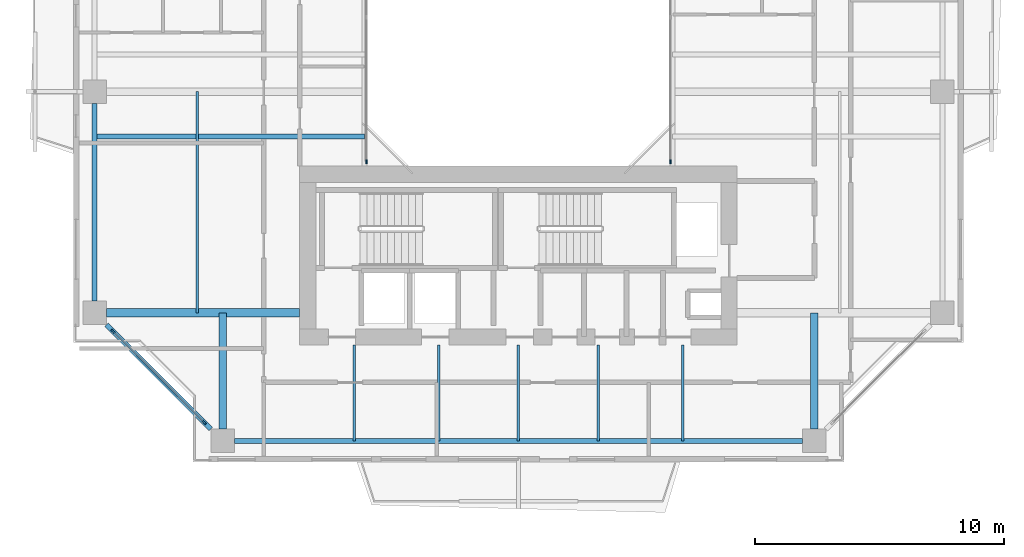
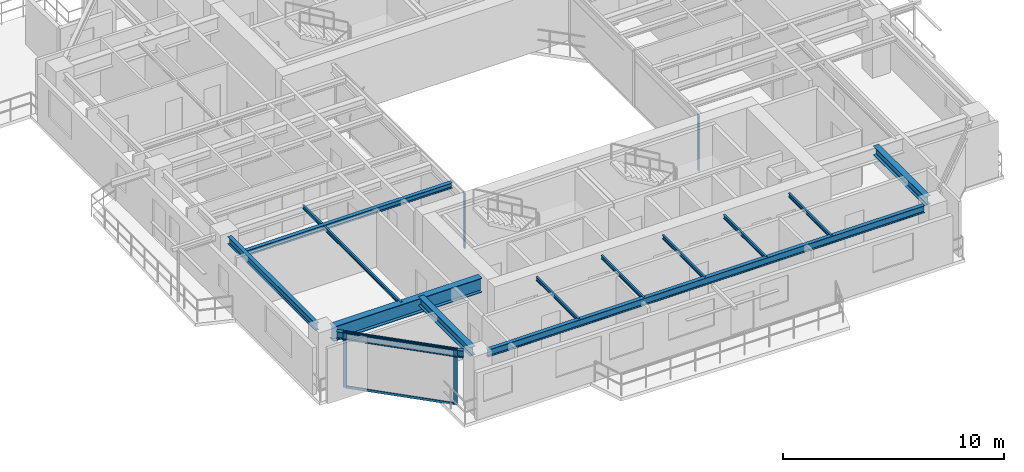
# One storey, part 2 of 17: 13 beams, 6 members, 3 elements without a shape of their own.
"""IFC4 building model written with IfcOpenShell, lengths in metres."""

from ifc_helpers import new_model, si_unit, direction, frame, origin, origin_2d, place, context, subcontext, project, spatial, rectangle, i_section, extrude, source, transform, mapped, material, layer, layer_set, material_profile, profile_set, type_object, element, aggregate, save


model = new_model("IFC4")

# Units and contexts
model_context = context("Model", 3, precision=1e-05, world=origin(), true_north=direction((0.0, 1.0)))
body_context = subcontext(model_context, "Body", "Model", "MODEL_VIEW")
ifc_project = project(units=[si_unit("LENGTHUNIT", "METRE"), si_unit("AREAUNIT", "SQUARE_METRE"), si_unit("VOLUMEUNIT", "CUBIC_METRE"), si_unit("PLANEANGLEUNIT", "RADIAN"), si_unit("MASSUNIT", "GRAM", prefix="KILO"), si_unit("THERMODYNAMICTEMPERATUREUNIT", "KELVIN"), si_unit("POWERUNIT", "WATT")], contexts=[model_context])

# Site, building, storey
site_placement = place(None, origin())
site = spatial("IfcSite", under=ifc_project, at=site_placement, CompositionType="ELEMENT")
building_placement = place(site_placement, origin())
building = spatial("IfcBuilding", under=site, at=building_placement, Name="Qiaomeng Ring Towers", CompositionType="ELEMENT")
storey_placement = place(building_placement, frame((0.0, 0.0, 143.75)))
storey = spatial("IfcBuildingStorey", under=building, at=storey_placement, Name="L41", CompositionType="ELEMENT", Elevation=143.75)

# Beams
ifc_material_1 = material(Name="Steel Q355B", Category="steel")
ifc_material_profile_1 = material_profile(ifc_material_1, i_section(OverallWidth=0.10009765625, OverallDepth=0.199951171875, WebThickness=0.005615234375, FlangeThickness=0.008056640625, FilletRadius=0.010986328125, at=origin_2d()), Name="HN 200x100x5.5x8")
ifc_profile_set_1 = profile_set([ifc_material_profile_1], Name="Steel Q355B")
beam_type_1 = type_object("IfcBeamType", Name="STR-BM-HN200", PredefinedType="JOIST", material=ifc_profile_set_1)
shared_shape_1 = source(origin(), body_context, "Body", "SweptSolid", [
    extrude(i_section(OverallWidth=0.10009765625, OverallDepth=0.199951171875, WebThickness=0.005615234375, FlangeThickness=0.008056640625, FilletRadius=0.010986328125, at=origin_2d()), origin(), (0.0, 0.0, 1.0), 3.85009765625),
])
for number, where, z_axis, x_axis, name in (
    (1, (12.39990234375, 5.949951171875, 2.969970703125), (0.0, 1.0, 0.0), (-1.0, 0.0, 0.0), "L41 beam STR-JST-L41-T1S-1"),
    (2, (15.800048828125, 5.949951171875, 2.969970703125), (0.0, 1.0, 0.0), (-1.0, 0.0, 0.0), "L41 beam STR-JST-L41-T1S-2"),
    (3, (19.0, 5.949951171875, 2.969970703125), (0.0, 1.0, 0.0), (-1.0, 0.0, 0.0), "L41 beam STR-JST-L41-T1S-3"),
    (4, (22.199951171875, 5.949951171875, 2.969970703125), (0.0, 1.0, 0.0), (-1.0, 0.0, 0.0), "L41 beam STR-JST-L41-T1S-4"),
    (5, (25.60009765625, 5.949951171875, 2.969970703125), (0.0, 1.0, 0.0), (-1.0, 0.0, 0.0), "L41 beam STR-JST-L41-T1S-5"),
):
    element("IfcBeam", number, at=place(storey_placement, frame(where, z_axis=z_axis, x_axis=x_axis)), inside=storey, type_object=beam_type_1, Name=name, PredefinedType="JOIST", context=body_context, shape_type="MappedRepresentation", body=[
        mapped(shared_shape_1, transform((0.0, 0.0, 0.0), x_axis=(1.0, 0.0, 0.0), y_axis=(0.0, 1.0, 0.0), z_axis=(0.0, 0.0, 1.0), scale=1.0)),
    ])
ifc_material_profile_2 = material_profile(ifc_material_1, i_section(OverallWidth=0.199951171875, OverallDepth=0.2939453125, WebThickness=0.008056640625, FlangeThickness=0.011962890625, FilletRadius=0.01806640625, at=origin_2d()), Name="HM 294x200x8x12")
ifc_profile_set_2 = profile_set([ifc_material_profile_2], Name="Steel Q355B")
beam_type_2 = type_object("IfcBeamType", Name="STR-BM-HM294", PredefinedType="JOIST", material=ifc_profile_set_2)
shared_shape_2 = source(origin(), body_context, "Body", "SweptSolid", [
    extrude(i_section(OverallWidth=0.199951171875, OverallDepth=0.2939453125, WebThickness=0.008056640625, FlangeThickness=0.011962890625, FilletRadius=0.01806640625, at=origin_2d()), origin(), (0.0, 0.0, 1.0), 10.85009765625),
])
beam_1_placement = place(storey_placement, frame((1.949951171875, 18.199951171875, 2.923095703125), z_axis=(1.0, 0.0, 0.0), x_axis=(0.0, 1.0, 0.0)))
element("IfcBeam", 6, at=beam_1_placement, inside=storey, type_object=beam_type_2, Name="L41 beam STR-JST-L41-T1W-1", PredefinedType="JOIST", context=body_context, shape_type="MappedRepresentation", body=[
    mapped(shared_shape_2, transform((0.0, 0.0, 0.0), x_axis=(1.0, 0.0, 0.0), y_axis=(0.0, 1.0, 0.0), z_axis=(0.0, 0.0, 1.0), scale=1.0)),
])
shared_shape_3 = source(origin(), body_context, "Body", "SweptSolid", [
    extrude(i_section(OverallWidth=0.10009765625, OverallDepth=0.199951171875, WebThickness=0.005615234375, FlangeThickness=0.008056640625, FilletRadius=0.010986328125, at=origin_2d()), origin(), (0.0, 0.0, 1.0), 8.89990234375),
])
beam_2_placement = place(storey_placement, frame((6.074951171875, 11.10009765625, 2.969970703125), z_axis=(0.0, 1.0, 0.0), x_axis=(-1.0, 0.0, 0.0)))
element("IfcBeam", 7, at=beam_2_placement, inside=storey, type_object=beam_type_1, Name="L41 beam STR-JST-L41-T1C-WS", PredefinedType="JOIST", context=body_context, shape_type="MappedRepresentation", body=[
    mapped(shared_shape_3, transform((0.0, 0.0, 0.0), x_axis=(1.0, 0.0, 0.0), y_axis=(0.0, 1.0, 0.0), z_axis=(0.0, 0.0, 1.0), scale=1.0)),
])
ifc_material_profile_3 = material_profile(ifc_material_1, i_section(OverallWidth=0.199951171875, OverallDepth=0.39990234375, WebThickness=0.008056640625, FlangeThickness=0.012939453125, FilletRadius=0.01611328125, at=origin_2d()), Name="HN 400x200x8x13")
ifc_profile_set_3 = profile_set([ifc_material_profile_3], Name="Steel Q355B")
beam_type_3 = type_object("IfcBeamType", Name="STR-BM-HN400", PredefinedType="SPANDREL", material=ifc_profile_set_3)
shared_shape_4 = source(origin(), body_context, "Body", "SweptSolid", [
    extrude(i_section(OverallWidth=0.199951171875, OverallDepth=0.39990234375, WebThickness=0.008056640625, FlangeThickness=0.012939453125, FilletRadius=0.01611328125, at=origin_2d()), origin(), (0.0, 0.0, 1.0), 22.85205078125),
])
beam_3_placement = place(storey_placement, frame((7.573974609375, 5.949951171875, 2.8701171875), z_axis=(1.0, 0.0, 0.0), x_axis=(0.0, 1.0, 0.0)))
element("IfcBeam", 8, at=beam_3_placement, inside=storey, type_object=beam_type_3, Name="L41 beam STR-SP-L41-T1-S1-S2", PredefinedType="SPANDREL", context=body_context, shape_type="MappedRepresentation", body=[
    mapped(shared_shape_4, transform((0.0, 0.0, 0.0), x_axis=(1.0, 0.0, 0.0), y_axis=(0.0, 1.0, 0.0), z_axis=(0.0, 0.0, 1.0), scale=1.0)),
])
shared_shape_5 = source(origin(), body_context, "Body", "SweptSolid", [
    extrude(i_section(OverallWidth=0.199951171875, OverallDepth=0.39990234375, WebThickness=0.008056640625, FlangeThickness=0.012939453125, FilletRadius=0.01611328125, at=origin_2d()), origin(), (0.0, 0.0, 1.0), 5.941650390625),
])
beam_4_placement = place(storey_placement, frame((2.42431640625, 10.625732421875, 2.8701171875), z_axis=(0.707106781187, -0.707106781187, 0.0), x_axis=(0.707106781187, 0.707106781187, 0.0)))
element("IfcBeam", 9, at=beam_4_placement, inside=storey, type_object=beam_type_3, Name="L41 beam STR-SP-L41-T1-W1-S1", PredefinedType="SPANDREL", context=body_context, shape_type="MappedRepresentation", body=[
    mapped(shared_shape_5, transform((0.0, 0.0, 0.0), x_axis=(1.0, 0.0, 0.0), y_axis=(0.0, 1.0, 0.0), z_axis=(0.0, 0.0, 1.0), scale=1.0)),
])
shared_shape_6 = source(origin(), body_context, "Body", "SweptSolid", [
    extrude(i_section(OverallWidth=0.199951171875, OverallDepth=0.39990234375, WebThickness=0.008056640625, FlangeThickness=0.012939453125, FilletRadius=0.01611328125, at=origin_2d()), origin(), (0.0, 0.0, 1.0), 7.951904296875),
])
beam_5_placement = place(storey_placement, frame((1.949951171875, 19.52587890625, 2.8701171875), z_axis=(0.0, -1.0, 0.0), x_axis=(1.0, 0.0, 0.0)))
element("IfcBeam", 10, at=beam_5_placement, inside=storey, type_object=beam_type_3, Name="L41 beam STR-SP-L41-T1-W2-W1", PredefinedType="SPANDREL", context=body_context, shape_type="MappedRepresentation", body=[
    mapped(shared_shape_6, transform((0.0, 0.0, 0.0), x_axis=(1.0, 0.0, 0.0), y_axis=(0.0, 1.0, 0.0), z_axis=(0.0, 0.0, 1.0), scale=1.0)),
])
ifc_material_2 = material(Name="Steel Q390GJC", Category="steel")
ifc_material_profile_4 = material_profile(ifc_material_2, i_section(OverallWidth=0.35009765625, OverallDepth=0.800048828125, WebThickness=0.01611328125, FlangeThickness=0.028076171875, at=origin_2d()), Name="WH 800x350x16x28")
ifc_profile_set_4 = profile_set([ifc_material_profile_4], Name="Steel Q390GJC")
beam_type_4 = type_object("IfcBeamType", Name="STR-BM-WH800", PredefinedType="BEAM", material=ifc_profile_set_4)
shared_shape_7 = source(origin(), body_context, "Body", "SweptSolid", [
    extrude(i_section(OverallWidth=0.35009765625, OverallDepth=0.800048828125, WebThickness=0.01611328125, FlangeThickness=0.028076171875, at=origin_2d()), origin(), (0.0, 0.0, 1.0), 7.77587890625),
])
beam_6_placement = place(storey_placement, frame((2.424072265625, 11.10009765625, 2.669921875), z_axis=(1.0, 0.0, 0.0), x_axis=(0.0, 1.0, 0.0)))
element("IfcBeam", 11, at=beam_6_placement, inside=storey, type_object=beam_type_4, Name="L41 beam STR-BM-L41-T1-RAD-W1", PredefinedType="BEAM", context=body_context, shape_type="MappedRepresentation", body=[
    mapped(shared_shape_7, transform((0.0, 0.0, 0.0), x_axis=(1.0, 0.0, 0.0), y_axis=(0.0, 1.0, 0.0), z_axis=(0.0, 0.0, 1.0), scale=1.0)),
])
ifc_material_profile_5 = material_profile(ifc_material_1, i_section(OverallWidth=0.300048828125, OverallDepth=0.488037109375, WebThickness=0.010986328125, FlangeThickness=0.01806640625, FilletRadius=0.02587890625, at=origin_2d()), Name="HM 488x300x11x18")
ifc_profile_set_5 = profile_set([ifc_material_profile_5], Name="Steel Q355B")
beam_type_5 = type_object("IfcBeamType", Name="STR-BM-HM488", PredefinedType="BEAM", material=ifc_profile_set_5)
shared_shape_8 = source(origin(), body_context, "Body", "SweptSolid", [
    extrude(i_section(OverallWidth=0.300048828125, OverallDepth=0.488037109375, WebThickness=0.010986328125, FlangeThickness=0.01806640625, FilletRadius=0.02587890625, at=origin_2d()), origin(), (0.0, 0.0, 1.0), 4.676025390625),
])
for number, where, z_axis, x_axis, name in (
    (12, (7.10009765625, 6.424072265625, 2.825927734375), (0.0, 1.0, 0.0), (-1.0, 0.0, 0.0), "L41 beam STR-BM-L41-T1-RAD-S1"),
    (13, (30.89990234375, 6.424072265625, 2.825927734375), (0.0, 1.0, 0.0), (-1.0, 0.0, 0.0), "L41 beam STR-BM-L41-T1-RAD-S2"),
):
    element("IfcBeam", number, at=place(storey_placement, frame(where, z_axis=z_axis, x_axis=x_axis)), inside=storey, type_object=beam_type_5, Name=name, PredefinedType="BEAM", context=body_context, shape_type="MappedRepresentation", body=[
        mapped(shared_shape_8, transform((0.0, 0.0, 0.0), x_axis=(1.0, 0.0, 0.0), y_axis=(0.0, 1.0, 0.0), z_axis=(0.0, 0.0, 1.0), scale=1.0)),
    ])

# Curtain wall, member
ifc_material_3 = material(Name="Fluorocarbon dark-grey aluminium", Category="aluminium")
ifc_layer_1 = layer(ifc_material_3, 0.139892578125, Name="Fluorocarbon dark-grey aluminium")
ifc_layer_set_1 = layer_set([ifc_layer_1], Name="Fluorocarbon dark-grey aluminium")
curtain_wall_type_1 = type_object("IfcCurtainWallType", Name="ARC-CW-4", PredefinedType="NOTDEFINED", material=ifc_layer_set_1)
curtain_wall_1_placement = place(storey_placement, origin())
curtain_wall_1 = element("IfcCurtainWall", 14, at=curtain_wall_1_placement, inside=storey, type_object=curtain_wall_type_1, Name="L41 Curtain Wall CW4", PredefinedType="NOTDEFINED")
ifc_material_profile_6 = material_profile(ifc_material_3, rectangle(XDim=0.06494140625, YDim=0.159912109375, at=origin_2d()), Name="ALU MULL 65x160")
ifc_profile_set_6 = profile_set([ifc_material_profile_6], Name="Fluorocarbon dark-grey aluminium")
member_type_1 = type_object("IfcMemberType", Name="ARC-CWM-140", PredefinedType="MULLION", material=ifc_profile_set_6)
shared_shape_9 = source(origin(), body_context, "Body", "SweptSolid", [
    extrude(rectangle(XDim=0.06494140625, YDim=0.159912109375, at=origin_2d()), origin(), (0.0, 0.0, 1.0), 3.070068359375),
])
member_1_placement = place(storey_placement, frame((12.8798828125, 17.1826171875, 0.0), z_axis=(0.0, 0.0, 1.0), x_axis=(-1.0, 0.0, 0.0)))
member_1 = element("IfcMember", 15, at=member_1_placement, type_object=member_type_1, Name="CW4 mullion 1", PredefinedType="MULLION", context=body_context, shape_type="MappedRepresentation", body=[
    mapped(shared_shape_9, transform((0.0, 0.0, 0.0), x_axis=(1.0, 0.0, 0.0), y_axis=(0.0, 1.0, 0.0), z_axis=(0.0, 0.0, 1.0), scale=1.0)),
])
aggregate(curtain_wall_1, [member_1])

curtain_wall_2_placement = place(storey_placement, origin())
curtain_wall_2 = element("IfcCurtainWall", 16, at=curtain_wall_2_placement, inside=storey, type_object=curtain_wall_type_1, Name="L41 Curtain Wall CW4", PredefinedType="NOTDEFINED")
member_2_placement = place(storey_placement, frame((25.1201171875, 17.1826171875, 0.0), z_axis=(0.0, 0.0, 1.0), x_axis=(-1.0, 0.0, 0.0)))
member_2 = element("IfcMember", 17, at=member_2_placement, type_object=member_type_1, Name="CW4 mullion 1", PredefinedType="MULLION", context=body_context, shape_type="MappedRepresentation", body=[
    mapped(shared_shape_9, transform((0.0, 0.0, 0.0), x_axis=(1.0, 0.0, 0.0), y_axis=(0.0, 1.0, 0.0), z_axis=(0.0, 0.0, 1.0), scale=1.0)),
])
aggregate(curtain_wall_2, [member_2])

# Curtain wall, members
ifc_layer_2 = layer(ifc_material_3, 0.14990234375, Name="Fluorocarbon dark-grey aluminium")
ifc_layer_set_2 = layer_set([ifc_layer_2], Name="Fluorocarbon dark-grey aluminium")
curtain_wall_type_2 = type_object("IfcCurtainWallType", Name="ARC-CW-3", PredefinedType="NOTDEFINED", material=ifc_layer_set_2)
curtain_wall_3_placement = place(storey_placement, origin())
curtain_wall_3 = element("IfcCurtainWall", 18, at=curtain_wall_3_placement, inside=storey, type_object=curtain_wall_type_2, Name="L41 Curtain Wall CW3", PredefinedType="NOTDEFINED")
ifc_material_profile_7 = material_profile(ifc_material_3, rectangle(XDim=0.070068359375, YDim=0.179931640625, at=origin_2d()), Name="ALU MULL 70x180")
ifc_profile_set_7 = profile_set([ifc_material_profile_7], Name="Fluorocarbon dark-grey aluminium")
member_type_2 = type_object("IfcMemberType", Name="ARC-CWM-160", PredefinedType="MULLION", material=ifc_profile_set_7)
shared_shape_10 = source(origin(), body_context, "Body", "SweptSolid", [
    extrude(rectangle(XDim=0.070068359375, YDim=0.179931640625, at=origin_2d()), origin(), (0.0, 0.0, 1.0), 3.070068359375),
])
member_3_placement = place(storey_placement, frame((2.689697265625, 10.3603515625, 0.0), z_axis=(0.0, 0.0, 1.0), x_axis=(0.707106781187, 0.707106781187, 0.0)))
member_3 = element("IfcMember", 19, at=member_3_placement, type_object=member_type_2, Name="CW3 mullion 1", PredefinedType="MULLION", context=body_context, shape_type="MappedRepresentation", body=[
    mapped(shared_shape_10, transform((0.0, 0.0, 0.0), x_axis=(1.0, 0.0, 0.0), y_axis=(0.0, 1.0, 0.0), z_axis=(0.0, 0.0, 1.0), scale=1.0)),
])
member_4_placement = place(storey_placement, frame((6.3603515625, 6.689697265625, 0.0), z_axis=(0.0, 0.0, 1.0), x_axis=(0.707106781187, 0.707106781187, 0.0)))
member_4 = element("IfcMember", 20, at=member_4_placement, type_object=member_type_2, Name="CW3 mullion 2", PredefinedType="MULLION", context=body_context, shape_type="MappedRepresentation", body=[
    mapped(shared_shape_10, transform((0.0, 0.0, 0.0), x_axis=(1.0, 0.0, 0.0), y_axis=(0.0, 1.0, 0.0), z_axis=(0.0, 0.0, 1.0), scale=1.0)),
])
ifc_material_profile_8 = material_profile(ifc_material_3, rectangle(XDim=0.06494140625, YDim=0.1298828125, at=origin_2d()), Name="ALU TRAN 65x130")
ifc_profile_set_8 = profile_set([ifc_material_profile_8], Name="Fluorocarbon dark-grey aluminium")
member_type_3 = type_object("IfcMemberType", Name="ARC-CWT-120", PredefinedType="USERDEFINED", material=ifc_profile_set_8)
shared_shape_11 = source(origin(), body_context, "Body", "SweptSolid", [
    extrude(rectangle(XDim=0.06494140625, YDim=0.1298828125, at=origin_2d()), origin(), (0.0, 0.0, 1.0), 5.12060546875),
])
member_5_placement = place(storey_placement, frame((2.714599609375, 10.33544921875, 0.032470703125), z_axis=(0.707106781187, -0.707106781187, 0.0), x_axis=(0.707106781187, 0.707106781187, 0.0)))
member_5 = element("IfcMember", 21, at=member_5_placement, type_object=member_type_3, Name="CW3 transom 1.1", ObjectType="TRANSOM", PredefinedType="USERDEFINED", context=body_context, shape_type="MappedRepresentation", body=[
    mapped(shared_shape_11, transform((0.0, 0.0, 0.0), x_axis=(1.0, 0.0, 0.0), y_axis=(0.0, 1.0, 0.0), z_axis=(0.0, 0.0, 1.0), scale=1.0)),
])
member_6_placement = place(storey_placement, frame((2.714599609375, 10.33544921875, 3.03759765625), z_axis=(0.707106781187, -0.707106781187, 0.0), x_axis=(0.707106781187, 0.707106781187, 0.0)))
member_6 = element("IfcMember", 22, at=member_6_placement, type_object=member_type_3, Name="CW3 transom 1.2", ObjectType="TRANSOM", PredefinedType="USERDEFINED", context=body_context, shape_type="MappedRepresentation", body=[
    mapped(shared_shape_11, transform((0.0, 0.0, 0.0), x_axis=(1.0, 0.0, 0.0), y_axis=(0.0, 1.0, 0.0), z_axis=(0.0, 0.0, 1.0), scale=1.0)),
])
aggregate(curtain_wall_3, [member_3, member_4, member_5, member_6])

save(model, "model.ifc")
